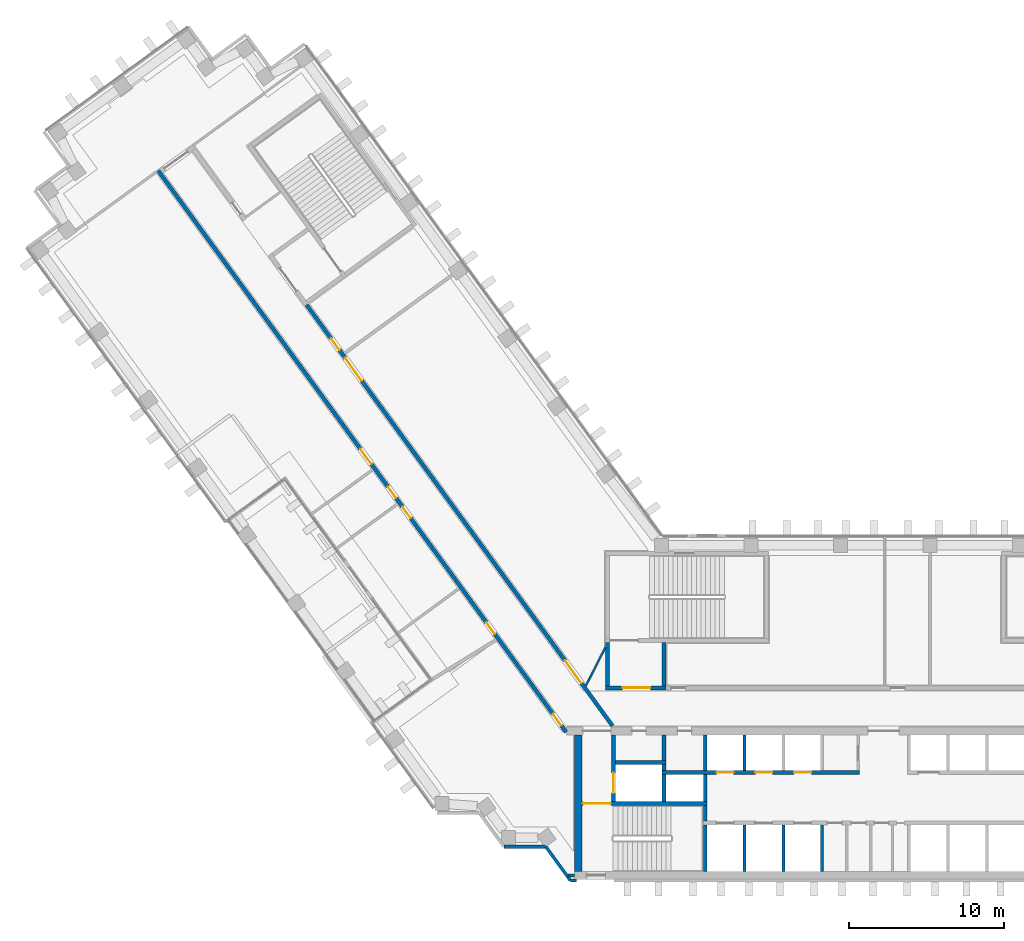
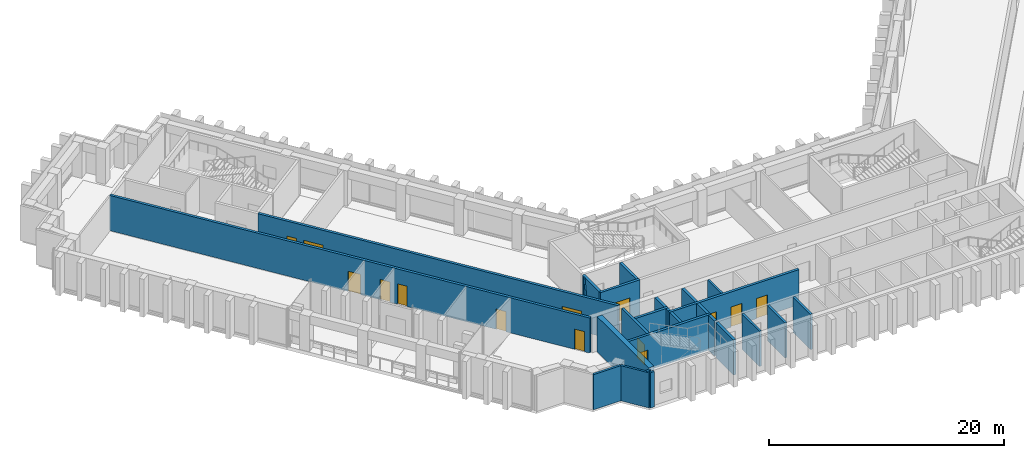
# One storey, part 8 of 16: 26 walls, 14 doors, 14 openings.
"""IFC4 building model written with IfcOpenShell, lengths in metres."""

from ifc_helpers import new_model, si_unit, direction, frame, frame_2d, origin, place, context, subcontext, project, spatial, rectangle, extrude, material, layer, layer_set, type_object, element, fill, save


model = new_model("IFC4")

# Units and contexts
model_context = context("Model", 3, precision=1e-05, world=origin(), true_north=direction((0.0, 1.0)))
body_context = subcontext(model_context, "Body", "Model", "MODEL_VIEW")
ifc_project = project(units=[si_unit("LENGTHUNIT", "METRE"), si_unit("AREAUNIT", "SQUARE_METRE"), si_unit("VOLUMEUNIT", "CUBIC_METRE"), si_unit("PLANEANGLEUNIT", "RADIAN"), si_unit("MASSUNIT", "GRAM", prefix="KILO")], contexts=[model_context])

# Site, building, storey
site_placement = place(None, origin())
site = spatial("IfcSite", under=ifc_project, at=site_placement, CompositionType="ELEMENT")
building_placement = place(site_placement, origin())
building = spatial("IfcBuilding", under=site, at=building_placement, Name="Quipu Civic Tower", CompositionType="ELEMENT")
storey_placement = place(building_placement, frame((0.0, 0.0, 55.0)))
storey = spatial("IfcBuildingStorey", under=building, at=storey_placement, Name="L12", CompositionType="ELEMENT", Elevation=55.0)

# Walls
ifc_material_1 = material(Name="Concrete C70/85", Category="concrete")
ifc_layer_1 = layer(ifc_material_1, 0.25)
ifc_layer_set_1 = layer_set([ifc_layer_1], Name="Concrete C70/85")
wall_type_1 = type_object("IfcWallType", Name="Core wall 250", PredefinedType="SHEAR", material=ifc_layer_set_1)
wall_1_placement = place(storey_placement, frame((-11.574951171875, -10.5, 0.0), z_axis=(0.0, 0.0, 1.0), x_axis=(0.0, 1.0, 0.0)))
element("IfcWall", 1, at=wall_1_placement, inside=storey, type_object=wall_type_1, Name="Core wall", PredefinedType="SHEAR", context=body_context, shape_type="SweptSolid", body=[
    extrude(rectangle(XDim=3.0, YDim=0.25, at=frame_2d((1.5, 0.0))), origin(), (0.0, 0.0, 1.0), 3.64990234375),
])
wall_2_placement = place(storey_placement, frame((-11.574951171875, -7.25, 0.0), z_axis=(0.0, 0.0, 1.0), x_axis=(0.0, 1.0, 0.0)))
element("IfcWall", 2, at=wall_2_placement, inside=storey, type_object=wall_type_1, Name="Core wall", PredefinedType="SHEAR", context=body_context, shape_type="SweptSolid", body=[
    extrude(rectangle(XDim=1.0, YDim=0.25, at=frame_2d((0.5, 0.0))), origin(), (0.0, 0.0, 1.0), 3.64990234375),
])

# Wall, opening, door
wall_3_placement = place(storey_placement, frame((-11.449951171875, -6.125, 0.0), z_axis=(0.0, 0.0, 1.0), x_axis=(-1.0, 0.0, 0.0)))
wall_3 = element("IfcWall", 3, at=wall_3_placement, inside=storey, type_object=wall_type_1, Name="Core wall", PredefinedType="SHEAR", context=body_context, shape_type="SweptSolid", body=[
    extrude(rectangle(XDim=8.050048828125, YDim=0.25, at=frame_2d((4.02490234375, 0.0))), origin(), (0.0, 0.0, 1.0), 3.64990234375),
])
opening_1_placement = place(wall_3_placement, frame((6.199951171875, 0.0, 0.0)))
opening_1 = element("IfcOpeningElement", 4, at=opening_1_placement, cuts=wall_3, Name="Opening CD-05", PredefinedType="OPENING", context=body_context, shape_type="SweptSolid", body=[
    extrude(rectangle(XDim=1.800048828125, YDim=2.10009765625, at=frame_2d((0.89990234375, 1.050048828125))), frame((0.0, 0.135009765625, 0.0), z_axis=(0.0, -1.0, 0.0), x_axis=(1.0, 0.0, 0.0)), (0.0, 0.0, 1.0), 0.27001953125),
])
ifc_material_2 = material(Name="Fire rated steel door", Category="steel")
door_type_1 = type_object("IfcDoorType", Name="Fire door FD90 double 1800 x 2100", OperationType="NOTDEFINED", PredefinedType="DOOR", material=ifc_material_2)
door_1_placement = place(opening_1_placement, origin())
door_1 = element("IfcDoor", 5, at=door_1_placement, inside=storey, type_object=door_type_1, Name="Door", OperationType="DOUBLE_DOOR_SINGLE_SWING", OverallHeight=2.10009765625, OverallWidth=1.800048828125, PredefinedType="DOOR", context=body_context, shape_type="SweptSolid", body=[
    extrude(rectangle(XDim=1.800048828125, YDim=2.10009765625, at=frame_2d((0.89990234375, 1.050048828125))), frame((0.0, 0.02490234375, 0.0), z_axis=(0.0, -1.0, 0.0), x_axis=(1.0, 0.0, 0.0)), (0.0, 0.0, 1.0), 0.050048828125),
])
fill(opening_1, door_1)

wall_4_placement = place(storey_placement, frame((-17.47509765625, -6.0, 0.0), z_axis=(0.0, 0.0, 1.0), x_axis=(0.0, 1.0, 0.0)))
wall_4 = element("IfcWall", 6, at=wall_4_placement, inside=storey, type_object=wall_type_1, Name="Core wall", PredefinedType="SHEAR", context=body_context, shape_type="SweptSolid", body=[
    extrude(rectangle(XDim=4.300048828125, YDim=0.25, at=frame_2d((2.14990234375, 0.0))), origin(), (0.0, 0.0, 1.0), 3.64990234375),
])
opening_2_placement = place(wall_4_placement, frame((0.550048828125, 0.0, 0.0)))
opening_2 = element("IfcOpeningElement", 7, at=opening_2_placement, cuts=wall_4, Name="Opening LD-FF1", PredefinedType="OPENING", context=body_context, shape_type="SweptSolid", body=[
    extrude(rectangle(XDim=1.300048828125, YDim=2.10009765625, at=frame_2d((0.64990234375, 1.050048828125))), frame((0.0, 0.135009765625, 0.0), z_axis=(0.0, -1.0, 0.0), x_axis=(1.0, 0.0, 0.0)), (0.0, 0.0, 1.0), 0.27001953125),
])
ifc_material_3 = material(Name="Stainless steel", Category="steel")
door_type_2 = type_object("IfcDoorType", Name="Lift landing door 1300 x 2100", OperationType="DOUBLE_DOOR_SLIDING", PredefinedType="DOOR", material=ifc_material_3)
door_2_placement = place(opening_2_placement, origin())
door_2 = element("IfcDoor", 8, at=door_2_placement, inside=storey, type_object=door_type_2, Name="Landing door FF1", OperationType="DOUBLE_DOOR_SLIDING", OverallHeight=2.10009765625, OverallWidth=1.300048828125, PredefinedType="DOOR", context=body_context, shape_type="SweptSolid", body=[
    extrude(rectangle(XDim=1.300048828125, YDim=2.10009765625, at=frame_2d((0.64990234375, 1.050048828125))), frame((0.0, 0.02490234375, 0.0), z_axis=(0.0, -1.0, 0.0), x_axis=(1.0, 0.0, 0.0)), (0.0, 0.0, 1.0), 0.050048828125),
])
fill(opening_2, door_2)

# Walls
for number, where, z_axis, x_axis, name in (
    (9, (-14.22509765625, -6.0, 0.0), (0.0, 0.0, 1.0), (0.0, 1.0, 0.0), "Core wall"),
    (10, (-11.574951171875, -6.0, 0.0), (0.0, 0.0, 1.0), (0.0, 1.0, 0.0), "Core wall"),
):
    element("IfcWall", number, at=place(storey_placement, frame(where, z_axis=z_axis, x_axis=x_axis)), inside=storey, type_object=wall_type_1, Name=name, PredefinedType="SHEAR", context=body_context, shape_type="SweptSolid", body=[
        extrude(rectangle(XDim=1.75, YDim=0.25, at=frame_2d((0.875, 0.0))), origin(), (0.0, 0.0, 1.0), 3.64990234375),
    ])

# Wall, openings, doors
wall_5_placement = place(storey_placement, frame((-14.35009765625, -4.125, 0.0), z_axis=(0.0, 0.0, 1.0), x_axis=(1.0, 0.0, 0.0)))
wall_5 = element("IfcWall", 11, at=wall_5_placement, inside=storey, type_object=wall_type_1, Name="Core wall", PredefinedType="SHEAR", context=body_context, shape_type="SweptSolid", body=[
    extrude(rectangle(XDim=12.7001953125, YDim=0.25, at=frame_2d((6.35009765625, 0.0))), origin(), (0.0, 0.0, 1.0), 3.64990234375),
])
opening_3_placement = place(wall_5_placement, frame((3.5, 0.0, 0.0)))
opening_3 = element("IfcOpeningElement", 12, at=opening_3_placement, cuts=wall_5, Name="Opening LD-LL4", PredefinedType="OPENING", context=body_context, shape_type="SweptSolid", body=[
    extrude(rectangle(XDim=1.10009765625, YDim=2.10009765625, at=frame_2d((0.550048828125, 1.050048828125))), frame((0.0, 0.135009765625, 0.0), z_axis=(0.0, -1.0, 0.0), x_axis=(1.0, 0.0, 0.0)), (0.0, 0.0, 1.0), 0.27001953125),
])
opening_4_placement = place(wall_5_placement, frame((6.0, 0.0, 0.0)))
opening_4 = element("IfcOpeningElement", 13, at=opening_4_placement, cuts=wall_5, Name="Opening LD-LL5", PredefinedType="OPENING", context=body_context, shape_type="SweptSolid", body=[
    extrude(rectangle(XDim=1.10009765625, YDim=2.10009765625, at=frame_2d((0.550048828125, 1.050048828125))), frame((0.0, 0.135009765625, 0.0), z_axis=(0.0, -1.0, 0.0), x_axis=(1.0, 0.0, 0.0)), (0.0, 0.0, 1.0), 0.27001953125),
])
opening_5_placement = place(wall_5_placement, frame((8.5, 0.0, 0.0)))
opening_5 = element("IfcOpeningElement", 14, at=opening_5_placement, cuts=wall_5, Name="Opening LD-LL6", PredefinedType="OPENING", context=body_context, shape_type="SweptSolid", body=[
    extrude(rectangle(XDim=1.10009765625, YDim=2.10009765625, at=frame_2d((0.550048828125, 1.050048828125))), frame((0.0, 0.135009765625, 0.0), z_axis=(0.0, -1.0, 0.0), x_axis=(1.0, 0.0, 0.0)), (0.0, 0.0, 1.0), 0.27001953125),
])
ifc_material_4 = material(Name="Stainless steel", Category="steel")
door_type_3 = type_object("IfcDoorType", Name="Lift landing door 1100 x 2100", OperationType="DOUBLE_DOOR_SLIDING", PredefinedType="DOOR", material=ifc_material_4)
door_3_placement = place(opening_3_placement, origin())
door_3 = element("IfcDoor", 15, at=door_3_placement, inside=storey, type_object=door_type_3, Name="Landing door LL4", OperationType="DOUBLE_DOOR_SLIDING", OverallHeight=2.10009765625, OverallWidth=1.10009765625, PredefinedType="DOOR", context=body_context, shape_type="SweptSolid", body=[
    extrude(rectangle(XDim=1.10009765625, YDim=2.10009765625, at=frame_2d((0.550048828125, 1.050048828125))), frame((0.0, 0.02490234375, 0.0), z_axis=(0.0, -1.0, 0.0), x_axis=(1.0, 0.0, 0.0)), (0.0, 0.0, 1.0), 0.050048828125),
])
fill(opening_3, door_3)
door_4_placement = place(opening_4_placement, origin())
door_4 = element("IfcDoor", 16, at=door_4_placement, inside=storey, type_object=door_type_3, Name="Landing door LL5", OperationType="DOUBLE_DOOR_SLIDING", OverallHeight=2.10009765625, OverallWidth=1.10009765625, PredefinedType="DOOR", context=body_context, shape_type="SweptSolid", body=[
    extrude(rectangle(XDim=1.10009765625, YDim=2.10009765625, at=frame_2d((0.550048828125, 1.050048828125))), frame((0.0, 0.02490234375, 0.0), z_axis=(0.0, -1.0, 0.0), x_axis=(1.0, 0.0, 0.0)), (0.0, 0.0, 1.0), 0.050048828125),
])
fill(opening_4, door_4)
door_5_placement = place(opening_5_placement, origin())
door_5 = element("IfcDoor", 17, at=door_5_placement, inside=storey, type_object=door_type_3, Name="Landing door LL6", OperationType="DOUBLE_DOOR_SLIDING", OverallHeight=2.10009765625, OverallWidth=1.10009765625, PredefinedType="DOOR", context=body_context, shape_type="SweptSolid", body=[
    extrude(rectangle(XDim=1.10009765625, YDim=2.10009765625, at=frame_2d((0.550048828125, 1.050048828125))), frame((0.0, 0.02490234375, 0.0), z_axis=(0.0, -1.0, 0.0), x_axis=(1.0, 0.0, 0.0)), (0.0, 0.0, 1.0), 0.050048828125),
])
fill(opening_5, door_5)

# Walls
wall_6_placement = place(storey_placement, frame((-14.22509765625, -4.0, 0.0), z_axis=(0.0, 0.0, 1.0), x_axis=(0.0, 1.0, 0.0)))
element("IfcWall", 18, at=wall_6_placement, inside=storey, type_object=wall_type_1, Name="Core wall", PredefinedType="SHEAR", context=body_context, shape_type="SweptSolid", body=[
    extrude(rectangle(XDim=0.39990234375, YDim=0.25, at=frame_2d((0.199951171875, 0.0))), origin(), (0.0, 0.0, 1.0), 3.64990234375),
])
wall_7_placement = place(storey_placement, frame((-11.574951171875, -4.0, 0.0), z_axis=(0.0, 0.0, 1.0), x_axis=(0.0, 1.0, 0.0)))
element("IfcWall", 19, at=wall_7_placement, inside=storey, type_object=wall_type_1, Name="Core wall", PredefinedType="SHEAR", context=body_context, shape_type="SweptSolid", body=[
    extrude(rectangle(XDim=2.300048828125, YDim=0.25, at=frame_2d((1.14990234375, 0.0))), origin(), (0.0, 0.0, 1.0), 3.64990234375),
])
wall_8_placement = place(storey_placement, frame((-17.35009765625, -3.47509765625, 0.0), z_axis=(0.0, 0.0, 1.0), x_axis=(1.0, 0.0, 0.0)))
element("IfcWall", 20, at=wall_8_placement, inside=storey, type_object=wall_type_1, Name="Core wall", PredefinedType="SHEAR", context=body_context, shape_type="SweptSolid", body=[
    extrude(rectangle(XDim=3.25, YDim=0.25, at=frame_2d((1.625, 0.0))), origin(), (0.0, 0.0, 1.0), 3.64990234375),
])
wall_9_placement = place(storey_placement, frame((-14.22509765625, -3.35009765625, 0.0), z_axis=(0.0, 0.0, 1.0), x_axis=(0.0, 1.0, 0.0)))
element("IfcWall", 21, at=wall_9_placement, inside=storey, type_object=wall_type_1, Name="Core wall", PredefinedType="SHEAR", context=body_context, shape_type="SweptSolid", body=[
    extrude(rectangle(XDim=1.650146484375, YDim=0.25, at=frame_2d((0.8251953125, 0.0))), origin(), (0.0, 0.0, 1.0), 3.64990234375),
])

# Wall, opening, door
wall_10_placement = place(storey_placement, frame((-18.0, 1.324951171875, 0.0), z_axis=(0.0, 0.0, 1.0), x_axis=(1.0, 0.0, 0.0)))
wall_10 = element("IfcWall", 22, at=wall_10_placement, inside=storey, type_object=wall_type_1, Name="Core wall", PredefinedType="SHEAR", context=body_context, shape_type="SweptSolid", body=[
    extrude(rectangle(XDim=3.89990234375, YDim=0.25, at=frame_2d((1.949951171875, 0.0))), origin(), (0.0, 0.0, 1.0), 3.64990234375),
])
opening_6_placement = place(wall_10_placement, frame((1.10009765625, 0.0, 0.0)))
opening_6 = element("IfcOpeningElement", 23, at=opening_6_placement, cuts=wall_10, Name="Opening CD-16", PredefinedType="OPENING", context=body_context, shape_type="SweptSolid", body=[
    extrude(rectangle(XDim=1.800048828125, YDim=2.10009765625, at=frame_2d((0.89990234375, 1.050048828125))), frame((0.0, 0.135009765625, 0.0), z_axis=(0.0, -1.0, 0.0), x_axis=(1.0, 0.0, 0.0)), (0.0, 0.0, 1.0), 0.27001953125),
])
door_6_placement = place(opening_6_placement, origin())
door_6 = element("IfcDoor", 24, at=door_6_placement, inside=storey, type_object=door_type_1, Name="Lobby door", OperationType="DOUBLE_DOOR_SINGLE_SWING", OverallHeight=2.10009765625, OverallWidth=1.800048828125, PredefinedType="DOOR", context=body_context, shape_type="SweptSolid", body=[
    extrude(rectangle(XDim=1.800048828125, YDim=2.10009765625, at=frame_2d((0.89990234375, 1.050048828125))), frame((0.0, 0.02490234375, 0.0), z_axis=(0.0, -1.0, 0.0), x_axis=(1.0, 0.0, 0.0)), (0.0, 0.0, 1.0), 0.050048828125),
])
fill(opening_6, door_6)

# Walls
for number, where, z_axis, x_axis, name in (
    (25, (-17.875, 1.449951171875, 0.0), (0.0, 0.0, 1.0), (0.0, 1.0, 0.0), "Core wall"),
    (26, (-14.22509765625, 1.449951171875, 0.0), (0.0, 0.0, 1.0), (0.0, 1.0, 0.0), "Core wall"),
):
    element("IfcWall", number, at=place(storey_placement, frame(where, z_axis=z_axis, x_axis=x_axis)), inside=storey, type_object=wall_type_1, Name=name, PredefinedType="SHEAR", context=body_context, shape_type="SweptSolid", body=[
        extrude(rectangle(XDim=2.800048828125, YDim=0.25, at=frame_2d((1.39990234375, 0.0))), origin(), (0.0, 0.0, 1.0), 3.64990234375),
    ])
ifc_material_5 = material(Name="Concrete C70/85", Category="concrete")
ifc_layer_2 = layer(ifc_material_5, 0.5)
ifc_layer_set_2 = layer_set([ifc_layer_2], Name="Concrete C70/85")
wall_type_2 = type_object("IfcWallType", Name="Core wall 500", PredefinedType="SHEAR", material=ifc_layer_set_2)
wall_11_placement = place(storey_placement, frame((-19.75, -10.5, 0.0), z_axis=(0.0, 0.0, 1.0), x_axis=(0.0, 1.0, 0.0)))
element("IfcWall", 27, at=wall_11_placement, inside=storey, type_object=wall_type_2, Name="Core wall", PredefinedType="SHEAR", context=body_context, shape_type="SweptSolid", body=[
    extrude(rectangle(XDim=8.800048828125, YDim=0.5, at=frame_2d((4.39990234375, 0.0))), origin(), (0.0, 0.0, 1.0), 3.64990234375),
])

# Wall, openings, doors
ifc_material_6 = material(Name="Concrete C50/60", Category="concrete")
ifc_layer_3 = layer(ifc_material_6, 0.25)
ifc_layer_set_3 = layer_set([ifc_layer_3], Name="Concrete C50/60")
wall_type_3 = type_object("IfcWallType", Name="Corridor wall 250 concrete", PredefinedType="SOLIDWALL", material=ifc_layer_set_3)
wall_12_placement = place(storey_placement, frame((-20.531005859375, -1.5234375, 0.0), z_axis=(0.0, 0.0, 1.0), x_axis=(-0.587784593204, 0.809017473231, 0.0)))
wall_12 = element("IfcWall", 28, at=wall_12_placement, inside=storey, type_object=wall_type_3, Name="Corridor wall C01", PredefinedType="SOLIDWALL", context=body_context, shape_type="SweptSolid", body=[
    extrude(rectangle(XDim=44.67041015625, YDim=0.25, at=frame_2d((22.335205078125, 0.0))), origin(), (0.0, 0.0, 1.0), 3.64990234375),
])
opening_7_placement = place(wall_12_placement, frame((21.315673828125, 0.0, 0.0)))
opening_7 = element("IfcOpeningElement", 29, at=opening_7_placement, cuts=wall_12, Name="Opening D015", PredefinedType="OPENING", context=body_context, shape_type="SweptSolid", body=[
    extrude(rectangle(XDim=1.199951171875, YDim=2.10009765625, at=frame_2d((0.60009765625, 1.050048828125))), frame((0.0, 0.135009765625, 0.0), z_axis=(0.0, -1.0, 0.0), x_axis=(1.0, 0.0, 0.0)), (0.0, 0.0, 1.0), 0.27001953125),
])
opening_8_placement = place(wall_12_placement, frame((17.015380859375, 0.0, 0.0)))
opening_8 = element("IfcOpeningElement", 30, at=opening_8_placement, cuts=wall_12, Name="Opening D017", PredefinedType="OPENING", context=body_context, shape_type="SweptSolid", body=[
    extrude(rectangle(XDim=0.89990234375, YDim=2.10009765625, at=frame_2d((0.449951171875, 1.050048828125))), frame((0.0, 0.135009765625, 0.0), z_axis=(0.0, -1.0, 0.0), x_axis=(1.0, 0.0, 0.0)), (0.0, 0.0, 1.0), 0.27001953125),
])
opening_9_placement = place(wall_12_placement, frame((0.53271484375, 0.0, 0.0)))
opening_9 = element("IfcOpeningElement", 31, at=opening_9_placement, cuts=wall_12, Name="Opening D019", PredefinedType="OPENING", context=body_context, shape_type="SweptSolid", body=[
    extrude(rectangle(XDim=0.89990234375, YDim=2.10009765625, at=frame_2d((0.449951171875, 1.050048828125))), frame((0.0, 0.135009765625, 0.0), z_axis=(0.0, -1.0, 0.0), x_axis=(1.0, 0.0, 0.0)), (0.0, 0.0, 1.0), 0.27001953125),
])
opening_10_placement = place(wall_12_placement, frame((18.6162109375, 0.0, 0.0)))
opening_10 = element("IfcOpeningElement", 32, at=opening_10_placement, cuts=wall_12, Name="Opening D016", PredefinedType="OPENING", context=body_context, shape_type="SweptSolid", body=[
    extrude(rectangle(XDim=0.89990234375, YDim=2.10009765625, at=frame_2d((0.449951171875, 1.050048828125))), frame((0.0, 0.135009765625, 0.0), z_axis=(0.0, -1.0, 0.0), x_axis=(1.0, 0.0, 0.0)), (0.0, 0.0, 1.0), 0.27001953125),
])
opening_11_placement = place(wall_12_placement, frame((7.81591796875, 0.0, 0.0)))
opening_11 = element("IfcOpeningElement", 33, at=opening_11_placement, cuts=wall_12, Name="Opening D018", PredefinedType="OPENING", context=body_context, shape_type="SweptSolid", body=[
    extrude(rectangle(XDim=0.89990234375, YDim=2.10009765625, at=frame_2d((0.449951171875, 1.050048828125))), frame((0.0, 0.135009765625, 0.0), z_axis=(0.0, -1.0, 0.0), x_axis=(1.0, 0.0, 0.0)), (0.0, 0.0, 1.0), 0.27001953125),
])
ifc_material_7 = material(Name="Fire rated timber door set with metal frame", Category="wood")
door_type_4 = type_object("IfcDoorType", Name="Single door 1200 x 2100 FD60", OperationType="NOTDEFINED", PredefinedType="DOOR", material=ifc_material_7)
door_7_placement = place(opening_7_placement, origin())
door_7 = element("IfcDoor", 34, at=door_7_placement, inside=storey, type_object=door_type_4, Name="Door D015", OperationType="SINGLE_SWING_LEFT", OverallHeight=2.10009765625, OverallWidth=1.199951171875, PredefinedType="DOOR", context=body_context, shape_type="SweptSolid", body=[
    extrude(rectangle(XDim=1.199951171875, YDim=2.10009765625, at=frame_2d((0.60009765625, 1.050048828125))), frame((0.0, 0.02490234375, 0.0), z_axis=(0.0, -1.0, 0.0), x_axis=(1.0, 0.0, 0.0)), (0.0, 0.0, 1.0), 0.050048828125),
])
fill(opening_7, door_7)
ifc_material_8 = material(Name="Fire rated timber door set with metal frame", Category="wood")
door_type_5 = type_object("IfcDoorType", Name="Single door 900 x 2100 FD60", OperationType="NOTDEFINED", PredefinedType="DOOR", material=ifc_material_8)
door_8_placement = place(opening_8_placement, origin())
door_8 = element("IfcDoor", 35, at=door_8_placement, inside=storey, type_object=door_type_5, Name="Door D017", OperationType="SINGLE_SWING_RIGHT", OverallHeight=2.10009765625, OverallWidth=0.89990234375, PredefinedType="DOOR", context=body_context, shape_type="SweptSolid", body=[
    extrude(rectangle(XDim=0.89990234375, YDim=2.10009765625, at=frame_2d((0.449951171875, 1.050048828125))), frame((0.0, 0.02490234375, 0.0), z_axis=(0.0, -1.0, 0.0), x_axis=(1.0, 0.0, 0.0)), (0.0, 0.0, 1.0), 0.050048828125),
])
fill(opening_8, door_8)
door_9_placement = place(opening_9_placement, origin())
door_9 = element("IfcDoor", 36, at=door_9_placement, inside=storey, type_object=door_type_5, Name="Door D019", OperationType="SINGLE_SWING_LEFT", OverallHeight=2.10009765625, OverallWidth=0.89990234375, PredefinedType="DOOR", context=body_context, shape_type="SweptSolid", body=[
    extrude(rectangle(XDim=0.89990234375, YDim=2.10009765625, at=frame_2d((0.449951171875, 1.050048828125))), frame((0.0, 0.02490234375, 0.0), z_axis=(0.0, -1.0, 0.0), x_axis=(1.0, 0.0, 0.0)), (0.0, 0.0, 1.0), 0.050048828125),
])
fill(opening_9, door_9)
door_10_placement = place(opening_10_placement, origin())
door_10 = element("IfcDoor", 37, at=door_10_placement, inside=storey, type_object=door_type_5, Name="Door D016", OperationType="SINGLE_SWING_LEFT", OverallHeight=2.10009765625, OverallWidth=0.89990234375, PredefinedType="DOOR", context=body_context, shape_type="SweptSolid", body=[
    extrude(rectangle(XDim=0.89990234375, YDim=2.10009765625, at=frame_2d((0.449951171875, 1.050048828125))), frame((0.0, 0.02490234375, 0.0), z_axis=(0.0, -1.0, 0.0), x_axis=(1.0, 0.0, 0.0)), (0.0, 0.0, 1.0), 0.050048828125),
])
fill(opening_10, door_10)
door_11_placement = place(opening_11_placement, origin())
door_11 = element("IfcDoor", 38, at=door_11_placement, inside=storey, type_object=door_type_5, Name="Door D018", OperationType="SINGLE_SWING_LEFT", OverallHeight=2.10009765625, OverallWidth=0.89990234375, PredefinedType="DOOR", context=body_context, shape_type="SweptSolid", body=[
    extrude(rectangle(XDim=0.89990234375, YDim=2.10009765625, at=frame_2d((0.449951171875, 1.050048828125))), frame((0.0, 0.02490234375, 0.0), z_axis=(0.0, -1.0, 0.0), x_axis=(1.0, 0.0, 0.0)), (0.0, 0.0, 1.0), 0.050048828125),
])
fill(opening_11, door_11)

wall_13_placement = place(storey_placement, frame((-37.231689453125, 25.9716796875, 0.0), z_axis=(0.0, 0.0, 1.0), x_axis=(0.587786323093, -0.809016216391, 0.0)))
wall_13 = element("IfcWall", 39, at=wall_13_placement, inside=storey, type_object=wall_type_3, Name="Corridor wall C04", PredefinedType="SOLIDWALL", context=body_context, shape_type="SweptSolid", body=[
    extrude(rectangle(XDim=33.4931640625, YDim=0.25, at=frame_2d((16.74658203125, 0.0))), origin(), (0.0, 0.0, 1.0), 3.64990234375),
])
opening_12_placement = place(wall_13_placement, frame((28.30078125, 0.0, 0.0)))
opening_12 = element("IfcOpeningElement", 40, at=opening_12_placement, cuts=wall_13, Name="Opening D013", PredefinedType="OPENING", context=body_context, shape_type="SweptSolid", body=[
    extrude(rectangle(XDim=1.800048828125, YDim=2.10009765625, at=frame_2d((0.89990234375, 1.050048828125))), frame((0.0, 0.135009765625, 0.0), z_axis=(0.0, -1.0, 0.0), x_axis=(1.0, 0.0, 0.0)), (0.0, 0.0, 1.0), 0.27001953125),
])
opening_13_placement = place(wall_13_placement, frame((4.235107421875, 0.0, 0.0)))
opening_13 = element("IfcOpeningElement", 41, at=opening_13_placement, cuts=wall_13, Name="Opening D014", PredefinedType="OPENING", context=body_context, shape_type="SweptSolid", body=[
    extrude(rectangle(XDim=1.800048828125, YDim=2.10009765625, at=frame_2d((0.89990234375, 1.050048828125))), frame((0.0, 0.135009765625, 0.0), z_axis=(0.0, -1.0, 0.0), x_axis=(1.0, 0.0, 0.0)), (0.0, 0.0, 1.0), 0.27001953125),
])
opening_14_placement = place(wall_13_placement, frame((2.684814453125, 0.0, 0.0)))
opening_14 = element("IfcOpeningElement", 42, at=opening_14_placement, cuts=wall_13, Name="Opening D012", PredefinedType="OPENING", context=body_context, shape_type="SweptSolid", body=[
    extrude(rectangle(XDim=0.89990234375, YDim=2.10009765625, at=frame_2d((0.449951171875, 1.050048828125))), frame((0.0, 0.135009765625, 0.0), z_axis=(0.0, -1.0, 0.0), x_axis=(1.0, 0.0, 0.0)), (0.0, 0.0, 1.0), 0.27001953125),
])
ifc_material_9 = material(Name="Fire rated timber door set with metal frame", Category="wood")
door_type_6 = type_object("IfcDoorType", Name="Double door 1800 x 2100 FD60", OperationType="DOUBLE_DOOR_SINGLE_SWING", PredefinedType="DOOR", material=ifc_material_9)
door_12_placement = place(opening_12_placement, origin())
door_12 = element("IfcDoor", 43, at=door_12_placement, inside=storey, type_object=door_type_6, Name="Door D013", OperationType="DOUBLE_DOOR_SINGLE_SWING", OverallHeight=2.10009765625, OverallWidth=1.800048828125, PredefinedType="DOOR", context=body_context, shape_type="SweptSolid", body=[
    extrude(rectangle(XDim=1.800048828125, YDim=2.10009765625, at=frame_2d((0.89990234375, 1.050048828125))), frame((0.0, 0.02490234375, 0.0), z_axis=(0.0, -1.0, 0.0), x_axis=(1.0, 0.0, 0.0)), (0.0, 0.0, 1.0), 0.050048828125),
])
fill(opening_12, door_12)
door_13_placement = place(opening_13_placement, origin())
door_13 = element("IfcDoor", 44, at=door_13_placement, inside=storey, type_object=door_type_6, Name="Door D014", OperationType="DOUBLE_DOOR_SINGLE_SWING", OverallHeight=2.10009765625, OverallWidth=1.800048828125, PredefinedType="DOOR", context=body_context, shape_type="SweptSolid", body=[
    extrude(rectangle(XDim=1.800048828125, YDim=2.10009765625, at=frame_2d((0.89990234375, 1.050048828125))), frame((0.0, 0.02490234375, 0.0), z_axis=(0.0, -1.0, 0.0), x_axis=(1.0, 0.0, 0.0)), (0.0, 0.0, 1.0), 0.050048828125),
])
fill(opening_13, door_13)
door_14_placement = place(opening_14_placement, origin())
door_14 = element("IfcDoor", 45, at=door_14_placement, inside=storey, type_object=door_type_5, Name="Door D012", OperationType="SINGLE_SWING_RIGHT", OverallHeight=2.10009765625, OverallWidth=0.89990234375, PredefinedType="DOOR", context=body_context, shape_type="SweptSolid", body=[
    extrude(rectangle(XDim=0.89990234375, YDim=2.10009765625, at=frame_2d((0.449951171875, 1.050048828125))), frame((0.0, 0.02490234375, 0.0), z_axis=(0.0, -1.0, 0.0), x_axis=(1.0, 0.0, 0.0)), (0.0, 0.0, 1.0), 0.050048828125),
])
fill(opening_14, door_14)

# Walls
ifc_material_10 = material(Name="Gypsum plasterboard on light gauge framing")
ifc_layer_4 = layer(ifc_material_10, 0.1201171875)
ifc_layer_set_4 = layer_set([ifc_layer_4], Name="Gypsum plasterboard on light gauge framing")
wall_type_4 = type_object("IfcWallType", Name="Partition 120 plasterboard", PredefinedType="PARTITIONING", material=ifc_layer_set_4)
wall_14_placement = place(storey_placement, frame((-19.260986328125, 1.449951171875, 0.0), z_axis=(0.0, 0.0, 1.0), x_axis=(0.453950796792, 0.891026752736, 0.0)))
element("IfcWall", 46, at=wall_14_placement, inside=storey, type_object=wall_type_4, Name="Partition P15", PredefinedType="PARTITIONING", context=body_context, shape_type="SweptSolid", body=[
    extrude(rectangle(XDim=2.77783203125, YDim=0.1201171875, at=frame_2d((1.388916015625, 0.0))), origin(), (0.0, 0.0, 1.0), 3.64990234375),
])
ifc_material_11 = material(Name="Precast concrete C40/50", Category="concrete")
wall_type_5 = type_object("IfcWallType", Name="Precast cladding wall", PredefinedType="SOLIDWALL", material=ifc_material_11)
wall_15_placement = place(storey_placement, frame((-24.542724609375, -8.90380859375, 0.0), z_axis=(0.0, 0.0, 1.0), x_axis=(1.0, 0.0, 0.0)))
element("IfcWall", 47, at=wall_15_placement, inside=storey, type_object=wall_type_5, Name="Precast cladding wall L12 17", PredefinedType="SOLIDWALL", context=body_context, shape_type="SweptSolid", body=[
    extrude(rectangle(XDim=2.699951171875, YDim=0.199951171875, at=frame_2d((1.35009765625, 0.0))), origin(), (0.0, 0.0, 1.0), 3.64990234375),
])
wall_16_placement = place(storey_placement, frame((-21.8330078125, -8.90869140625, 0.0), z_axis=(0.0, 0.0, 1.0), x_axis=(0.587766567315, -0.809030569476, 0.0)))
element("IfcWall", 48, at=wall_16_placement, inside=storey, type_object=wall_type_5, Name="Precast cladding wall L12 18", PredefinedType="SOLIDWALL", context=body_context, shape_type="SweptSolid", body=[
    extrude(rectangle(XDim=2.687744140625, YDim=0.199951171875, at=frame_2d((1.34375, 0.0))), origin(), (0.0, 0.0, 1.0), 3.64990234375),
])
wall_17_placement = place(storey_placement, frame((-20.255859375, -11.087890625, 0.0), z_axis=(0.0, 0.0, 1.0), x_axis=(1.0, 0.0, 0.0)))
element("IfcWall", 49, at=wall_17_placement, inside=storey, type_object=wall_type_5, Name="Precast cladding wall L12 19", PredefinedType="SOLIDWALL", context=body_context, shape_type="SweptSolid", body=[
    extrude(rectangle(XDim=0.40576171875, YDim=0.199951171875, at=frame_2d((0.202880859375, 0.0))), origin(), (0.0, 0.0, 1.0), 3.64990234375),
])
wall_18_placement = place(storey_placement, frame((-19.97998046875, -10.75, 0.0), z_axis=(0.0, 0.0, 1.0), x_axis=(-1.0, 0.0, 0.0)))
element("IfcWall", 50, at=wall_18_placement, inside=storey, type_object=wall_type_5, Name="Precast cladding return L12 W", PredefinedType="SOLIDWALL", context=body_context, shape_type="SweptSolid", body=[
    extrude(rectangle(XDim=0.41650390625, YDim=0.199951171875, at=frame_2d((0.208251953125, 0.0))), origin(), (0.0, 0.0, 1.0), 3.64990234375),
])
ifc_material_12 = material(Name="Concrete C40/50", Category="concrete")
ifc_layer_5 = layer(ifc_material_12, 0.199951171875)
ifc_layer_set_5 = layer_set([ifc_layer_5], Name="Concrete C40/50")
wall_type_6 = type_object("IfcWallType", Name="Shaft wall 200", PredefinedType="SOLIDWALL", material=ifc_layer_set_5)
for number, where, z_axis, x_axis, name in (
    (51, (-9.050048828125, -10.5, 0.0), (0.0, 0.0, 1.0), (0.0, 1.0, 0.0), "Shaft wall"),
    (52, (-6.550048828125, -10.5, 0.0), (0.0, 0.0, 1.0), (0.0, 1.0, 0.0), "Shaft wall"),
    (53, (-4.050048828125, -10.5, 0.0), (0.0, 0.0, 1.0), (0.0, 1.0, 0.0), "Shaft wall"),
):
    element("IfcWall", number, at=place(storey_placement, frame(where, z_axis=z_axis, x_axis=x_axis)), inside=storey, type_object=wall_type_6, Name=name, PredefinedType="SOLIDWALL", context=body_context, shape_type="SweptSolid", body=[
        extrude(rectangle(XDim=3.0, YDim=0.199951171875, at=frame_2d((1.5, 0.0))), origin(), (0.0, 0.0, 1.0), 3.64990234375),
    ])
wall_19_placement = place(storey_placement, frame((-9.050048828125, -4.0, 0.0), z_axis=(0.0, 0.0, 1.0), x_axis=(0.0, 1.0, 0.0)))
element("IfcWall", 54, at=wall_19_placement, inside=storey, type_object=wall_type_6, Name="Shaft wall", PredefinedType="SOLIDWALL", context=body_context, shape_type="SweptSolid", body=[
    extrude(rectangle(XDim=2.300048828125, YDim=0.199951171875, at=frame_2d((1.14990234375, 0.0))), origin(), (0.0, 0.0, 1.0), 3.64990234375),
])

save(model, "model.ifc")
